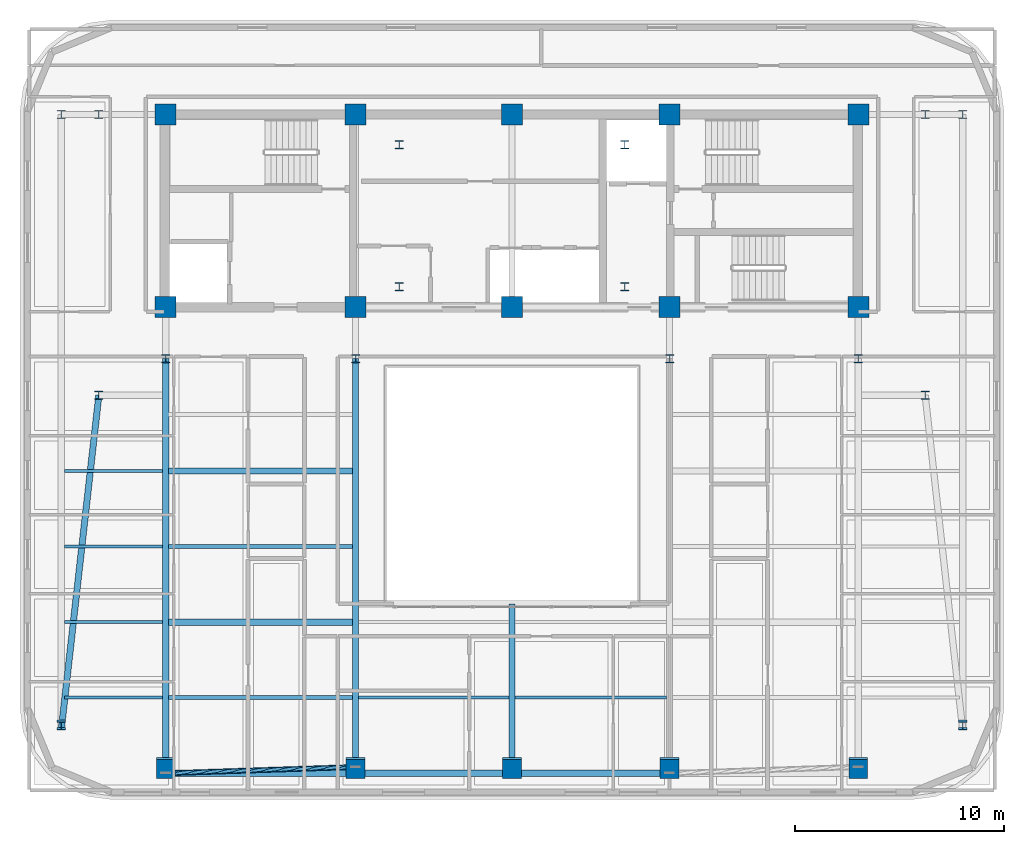
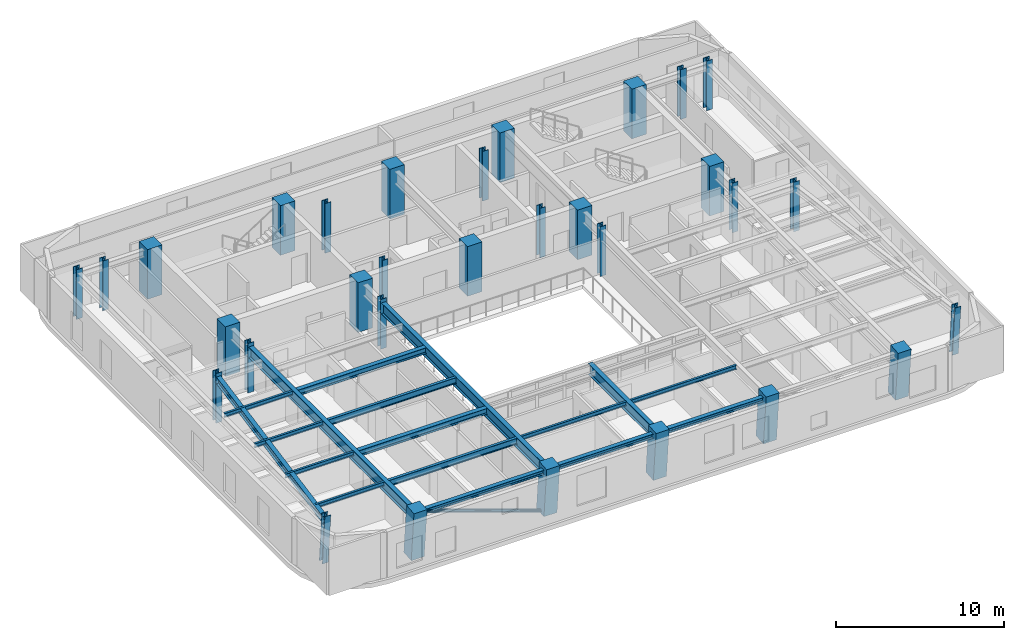
# One storey, part 1 of 14: 31 columns, 17 beams, 1 member.
"""IFC4 building model written with IfcOpenShell, lengths in metres."""

from ifc_helpers import new_model, si_unit, direction, frame, origin, origin_2d, place, context, subcontext, project, spatial, rectangle, hollow_circle, i_section, extrude, material, material_profile, profile_set, type_object, element, save


model = new_model("IFC4")

# Units and contexts
model_context = context("Model", 3, precision=1e-05, world=origin(), true_north=direction((0.0, 1.0)))
body_context = subcontext(model_context, "Body", "Model", "MODEL_VIEW")
ifc_project = project(units=[si_unit("LENGTHUNIT", "METRE"), si_unit("AREAUNIT", "SQUARE_METRE"), si_unit("VOLUMEUNIT", "CUBIC_METRE"), si_unit("PLANEANGLEUNIT", "RADIAN"), si_unit("MASSUNIT", "GRAM", prefix="KILO")], contexts=[model_context])

# Site, building, storey
site_placement = place(None, origin())
site = spatial("IfcSite", under=ifc_project, at=site_placement, CompositionType="ELEMENT")
building_placement = place(site_placement, origin())
building = spatial("IfcBuilding", under=site, at=building_placement, Name="Zarnavel Station Tower", CompositionType="ELEMENT")
storey_placement = place(building_placement, frame((0.0, 0.0, 225.60009765625)))
storey = spatial("IfcBuildingStorey", under=building, at=storey_placement, Name="L61", CompositionType="ELEMENT", Elevation=225.60009765625)

# Columns
ifc_material_1 = material(Name="Steel S355J2", Category="steel")
ifc_material_profile_1 = material_profile(ifc_material_1, i_section(OverallWidth=0.407958984375, OverallDepth=0.39990234375, WebThickness=0.02490234375, FlangeThickness=0.0390625, FilletRadius=0.014892578125, at=origin_2d()), Name="HD400x287")
ifc_profile_set_1 = profile_set([ifc_material_profile_1], Name="Steel S355J2")
column_type_1 = type_object("IfcColumnType", Name="EC_HD287", PredefinedType="COLUMN", material=ifc_profile_set_1)
column_1_placement = place(storey_placement, frame((7.199951171875, 7.8427734375, 0.0), z_axis=(0.0, -0.079906436036, 0.996802368316), x_axis=(1.0, 0.0, 0.0)))
element("IfcColumn", 1, at=column_1_placement, inside=storey, type_object=column_type_1, Name="L61 Raked Wing Column 1", PredefinedType="COLUMN", context=body_context, shape_type="SweptSolid", body=[
    extrude(i_section(OverallWidth=0.407958984375, OverallDepth=0.39990234375, WebThickness=0.02490234375, FlangeThickness=0.0390625, FilletRadius=0.014892578125, at=origin_2d()), origin(), (0.0, 0.0, 1.0), 3.611328125),
])
column_2_placement = place(storey_placement, frame((7.199951171875, 37.050048828125, 0.0), z_axis=(0.0, 0.0, 1.0), x_axis=(1.0, 0.0, 0.0)))
element("IfcColumn", 2, at=column_2_placement, inside=storey, type_object=column_type_1, Name="L61 Outer Wing North Column 1", PredefinedType="COLUMN", context=body_context, shape_type="SweptSolid", body=[
    extrude(i_section(OverallWidth=0.407958984375, OverallDepth=0.39990234375, WebThickness=0.02490234375, FlangeThickness=0.0390625, FilletRadius=0.014892578125, at=origin_2d()), origin(), (0.0, 0.0, 1.0), 3.599853515625),
])
column_3_placement = place(storey_placement, frame((50.39990234375, 7.8427734375, 0.0), z_axis=(0.0, -0.079906436036, 0.996802368316), x_axis=(1.0, 0.0, 0.0)))
element("IfcColumn", 3, at=column_3_placement, inside=storey, type_object=column_type_1, Name="L61 Raked Wing Column 2", PredefinedType="COLUMN", context=body_context, shape_type="SweptSolid", body=[
    extrude(i_section(OverallWidth=0.407958984375, OverallDepth=0.39990234375, WebThickness=0.02490234375, FlangeThickness=0.0390625, FilletRadius=0.014892578125, at=origin_2d()), origin(), (0.0, 0.0, 1.0), 3.611328125),
])
column_4_placement = place(storey_placement, frame((50.39990234375, 37.050048828125, 0.0), z_axis=(0.0, 0.0, 1.0), x_axis=(1.0, 0.0, 0.0)))
element("IfcColumn", 4, at=column_4_placement, inside=storey, type_object=column_type_1, Name="L61 Outer Wing North Column 2", PredefinedType="COLUMN", context=body_context, shape_type="SweptSolid", body=[
    extrude(i_section(OverallWidth=0.407958984375, OverallDepth=0.39990234375, WebThickness=0.02490234375, FlangeThickness=0.0390625, FilletRadius=0.014892578125, at=origin_2d()), origin(), (0.0, 0.0, 1.0), 3.599853515625),
])
ifc_material_2 = material(Name="Steel S355J2", Category="steel")
ifc_material_profile_2 = material_profile(ifc_material_2, i_section(OverallWidth=0.407958984375, OverallDepth=0.39990234375, WebThickness=0.02490234375, FlangeThickness=0.0390625, FilletRadius=0.014892578125, at=origin_2d()), Name="HD400x287")
ifc_profile_set_2 = profile_set([ifc_material_profile_2], Name="Steel S355J2")
column_type_2 = type_object("IfcColumnType", Name="IC_HD287", PredefinedType="COLUMN", material=ifc_profile_set_2)
for number, where, z_axis, x_axis, name in (
    (5, (23.39990234375, 28.800048828125, 0.0), (0.0, 0.0, 1.0), (1.0, 0.0, 0.0), "L61 Mast Spine Column 1"),
    (6, (34.199951171875, 28.800048828125, 0.0), (0.0, 0.0, 1.0), (1.0, 0.0, 0.0), "L61 Mast Spine Column 2"),
    (7, (34.199951171875, 35.60009765625, 0.0), (0.0, 0.0, 1.0), (1.0, 0.0, 0.0), "L61 Mast Spine Column 3"),
    (8, (23.39990234375, 35.60009765625, 0.0), (0.0, 0.0, 1.0), (1.0, 0.0, 0.0), "L61 Mast Spine Column 4"),
    (9, (12.199951171875, 25.35009765625, 0.0), (0.0, 0.0, 1.0), (1.0, 0.0, 0.0), "L61 Inner Spine Column 1"),
    (10, (21.300048828125, 25.35009765625, 0.0), (0.0, 0.0, 1.0), (1.0, 0.0, 0.0), "L61 Inner Spine Column 2"),
    (11, (36.35009765625, 25.35009765625, 0.0), (0.0, 0.0, 1.0), (1.0, 0.0, 0.0), "L61 Inner Spine Column 4"),
    (12, (45.39990234375, 25.35009765625, 0.0), (0.0, 0.0, 1.0), (1.0, 0.0, 0.0), "L61 Inner Spine Column 5"),
    (13, (9.0, 23.60009765625, 0.0), (0.0, 0.0, 1.0), (1.0, 0.0, 0.0), "L61 Inner Wing Spine Column 1-1"),
    (14, (9.0, 37.050048828125, 0.0), (0.0, 0.0, 1.0), (1.0, 0.0, 0.0), "L61 Inner Wing Spine Column 1-2"),
    (15, (48.60009765625, 23.60009765625, 0.0), (0.0, 0.0, 1.0), (1.0, 0.0, 0.0), "L61 Inner Wing Spine Column 2-1"),
    (16, (48.60009765625, 37.050048828125, 0.0), (0.0, 0.0, 1.0), (1.0, 0.0, 0.0), "L61 Inner Wing Spine Column 2-2"),
):
    element("IfcColumn", number, at=place(storey_placement, frame(where, z_axis=z_axis, x_axis=x_axis)), inside=storey, type_object=column_type_2, Name=name, PredefinedType="COLUMN", context=body_context, shape_type="SweptSolid", body=[
        extrude(i_section(OverallWidth=0.407958984375, OverallDepth=0.39990234375, WebThickness=0.02490234375, FlangeThickness=0.0390625, FilletRadius=0.014892578125, at=origin_2d()), origin(), (0.0, 0.0, 1.0), 3.599853515625),
    ])
ifc_material_3 = material(Name="Concrete C50/60", Category="concrete")
ifc_material_profile_3 = material_profile(ifc_material_3, rectangle(XDim=1.0, YDim=1.0, at=origin_2d()), Name="RC1000x1000")
ifc_profile_set_3 = profile_set([ifc_material_profile_3], Name="Concrete C50/60")
column_type_3 = type_object("IfcColumnType", Name="IC_RC1000", PredefinedType="COLUMN", material=ifc_profile_set_3)
for number, where, z_axis, x_axis, name in (
    (17, (12.199951171875, 27.820068359375, 0.0), (0.0, 0.0, 1.0), (1.0, 0.0, 0.0), "L61 Core Spine Column 1-1"),
    (18, (12.199951171875, 37.050048828125, 0.0), (0.0, 0.0, 1.0), (1.0, 0.0, 0.0), "L61 Core Spine Column 1-2"),
    (19, (21.300048828125, 27.820068359375, 0.0), (0.0, 0.0, 1.0), (1.0, 0.0, 0.0), "L61 Core Spine Column 2-1"),
    (20, (21.300048828125, 37.050048828125, 0.0), (0.0, 0.0, 1.0), (1.0, 0.0, 0.0), "L61 Core Spine Column 2-2"),
    (21, (28.800048828125, 27.820068359375, 0.0), (0.0, 0.0, 1.0), (1.0, 0.0, 0.0), "L61 Core Spine Column 3-1"),
    (22, (28.800048828125, 37.050048828125, 0.0), (0.0, 0.0, 1.0), (1.0, 0.0, 0.0), "L61 Core Spine Column 3-2"),
    (23, (36.35009765625, 27.820068359375, 0.0), (0.0, 0.0, 1.0), (1.0, 0.0, 0.0), "L61 Core Spine Column 4-1"),
    (24, (36.35009765625, 37.050048828125, 0.0), (0.0, 0.0, 1.0), (1.0, 0.0, 0.0), "L61 Core Spine Column 4-2"),
    (25, (45.39990234375, 27.820068359375, 0.0), (0.0, 0.0, 1.0), (1.0, 0.0, 0.0), "L61 Core Spine Column 5-1"),
    (26, (45.39990234375, 37.050048828125, 0.0), (0.0, 0.0, 1.0), (1.0, 0.0, 0.0), "L61 Core Spine Column 5-2"),
):
    element("IfcColumn", number, at=place(storey_placement, frame(where, z_axis=z_axis, x_axis=x_axis)), inside=storey, type_object=column_type_3, Name=name, PredefinedType="COLUMN", context=body_context, shape_type="SweptSolid", body=[
        extrude(rectangle(XDim=1.0, YDim=1.0, at=origin_2d()), origin(), (0.0, 0.0, 1.0), 3.599853515625),
    ])
ifc_material_4 = material(Name="Concrete C50/60", Category="concrete")
ifc_material_profile_4 = material_profile(ifc_material_4, rectangle(XDim=0.89990234375, YDim=0.89990234375, at=origin_2d()), Name="RC900x900")
ifc_profile_set_4 = profile_set([ifc_material_profile_4], Name="Concrete C50/60")
column_type_4 = type_object("IfcColumnType", Name="MC_RC900", PredefinedType="COLUMN", material=ifc_profile_set_4)
for number, where, z_axis, x_axis, name in (
    (27, (12.199951171875, 5.7841796875, 0.0), (0.0, -0.090237335163, 0.995920289653), (1.0, 0.0, 0.0), "L61 Raked South Mega-Column 1"),
    (28, (21.300048828125, 5.7841796875, 0.0), (0.0, -0.090237335163, 0.995920289653), (1.0, 0.0, 0.0), "L61 Raked South Mega-Column 2"),
    (29, (28.800048828125, 5.7841796875, 0.0), (0.0, -0.090237335163, 0.995920289653), (1.0, 0.0, 0.0), "L61 Raked South Mega-Column 3"),
    (30, (36.35009765625, 5.7841796875, 0.0), (0.0, -0.090237335163, 0.995920289653), (1.0, 0.0, 0.0), "L61 Raked South Mega-Column 4"),
    (31, (45.39990234375, 5.7841796875, 0.0), (0.0, -0.090237335163, 0.995920289653), (1.0, 0.0, 0.0), "L61 Raked South Mega-Column 5"),
):
    element("IfcColumn", number, at=place(storey_placement, frame(where, z_axis=z_axis, x_axis=x_axis)), inside=storey, type_object=column_type_4, Name=name, PredefinedType="COLUMN", context=body_context, shape_type="SweptSolid", body=[
        extrude(rectangle(XDim=0.89990234375, YDim=0.89990234375, at=origin_2d()), origin(), (0.0, 0.0, 1.0), 3.614501953125),
    ])

# Member
ifc_material_5 = material(Name="Steel S355J2", Category="steel")
ifc_material_profile_5 = material_profile(ifc_material_5, hollow_circle(Radius=0.122314453125, WallThickness=0.010009765625, at=origin_2d()), Name="CHS244.5x10")
ifc_profile_set_5 = profile_set([ifc_material_profile_5], Name="Steel S355J2")
member_type = type_object("IfcMemberType", Name="DB_EXT_CHS245", PredefinedType="BRACE", material=ifc_profile_set_5)
member_placement = place(storey_placement, frame((21.300048828125, 5.7841796875, 0.0), z_axis=(-0.938314062499, -0.03121504098, 0.344372387589), x_axis=(0.033248763554, -0.999447107016, 0.0)))
element("IfcMember", 32, at=member_placement, inside=storey, type_object=member_type, Name="L61 Persian Exterior Diagonal Frame Brace 1", PredefinedType="BRACE", context=body_context, shape_type="SweptSolid", body=[
    extrude(hollow_circle(Radius=0.122314453125, WallThickness=0.010009765625, at=origin_2d()), origin(), (0.0, 0.0, 1.0), 9.6982421875),
])

# Beams
ifc_material_6 = material(Name="Steel S355J2", Category="steel")
ifc_material_profile_6 = material_profile(ifc_material_6, i_section(OverallWidth=0.300048828125, OverallDepth=0.320068359375, WebThickness=0.011474609375, FlangeThickness=0.0205078125, FilletRadius=0.027099609375, at=origin_2d()), Name="HEB320")
ifc_profile_set_6 = profile_set([ifc_material_profile_6], Name="Steel S355J2")
beam_type_1 = type_object("IfcBeamType", Name="EB_HEB320", PredefinedType="SPANDREL", material=ifc_profile_set_6)
beam_1_placement = place(storey_placement, frame((12.199951171875, 5.4814453125, 3.179931640625), z_axis=(1.0, 0.0, 0.0), x_axis=(0.0, 1.0, 0.0)))
element("IfcBeam", 33, at=beam_1_placement, inside=storey, type_object=beam_type_1, Name="L61 South Raked Spandrel 1", PredefinedType="SPANDREL", context=body_context, shape_type="SweptSolid", body=[
    extrude(i_section(OverallWidth=0.300048828125, OverallDepth=0.320068359375, WebThickness=0.011474609375, FlangeThickness=0.0205078125, FilletRadius=0.027099609375, at=origin_2d()), origin(), (0.0, 0.0, 1.0), 9.10009765625),
])
beam_2_placement = place(storey_placement, frame((21.300048828125, 5.4814453125, 3.179931640625), z_axis=(1.0, 0.0, 0.0), x_axis=(0.0, 1.0, 0.0)))
element("IfcBeam", 34, at=beam_2_placement, inside=storey, type_object=beam_type_1, Name="L61 South Raked Spandrel 2", PredefinedType="SPANDREL", context=body_context, shape_type="SweptSolid", body=[
    extrude(i_section(OverallWidth=0.300048828125, OverallDepth=0.320068359375, WebThickness=0.011474609375, FlangeThickness=0.0205078125, FilletRadius=0.027099609375, at=origin_2d()), origin(), (0.0, 0.0, 1.0), 7.5),
])
beam_3_placement = place(storey_placement, frame((28.800048828125, 5.4814453125, 3.179931640625), z_axis=(1.0, 0.0, 0.0), x_axis=(0.0, 1.0, 0.0)))
element("IfcBeam", 35, at=beam_3_placement, inside=storey, type_object=beam_type_1, Name="L61 South Raked Spandrel 3", PredefinedType="SPANDREL", context=body_context, shape_type="SweptSolid", body=[
    extrude(i_section(OverallWidth=0.300048828125, OverallDepth=0.320068359375, WebThickness=0.011474609375, FlangeThickness=0.0205078125, FilletRadius=0.027099609375, at=origin_2d()), origin(), (0.0, 0.0, 1.0), 7.550048828125),
])
ifc_material_7 = material(Name="Steel S355J2", Category="steel")
ifc_material_profile_7 = material_profile(ifc_material_7, i_section(OverallWidth=0.300048828125, OverallDepth=0.43994140625, WebThickness=0.011474609375, FlangeThickness=0.02099609375, FilletRadius=0.027099609375, at=origin_2d()), Name="HEA450")
ifc_profile_set_7 = profile_set([ifc_material_profile_7], Name="Steel S355J2")
beam_type_2 = type_object("IfcBeamType", Name="FB_HEA450", PredefinedType="BEAM", material=ifc_profile_set_7)
for number, where, z_axis, x_axis, name in (
    (36, (12.344970703125, 12.720947265625, 3.119873046875), (1.0, 0.0, 0.0), (0.0, 1.0, 0.0), "L61 West Bay Beam 2"),
    (37, (12.344970703125, 19.96044921875, 3.119873046875), (1.0, 0.0, 0.0), (0.0, 1.0, 0.0), "L61 West Bay Beam 4"),
):
    element("IfcBeam", number, at=place(storey_placement, frame(where, z_axis=z_axis, x_axis=x_axis)), inside=storey, type_object=beam_type_2, Name=name, PredefinedType="BEAM", context=body_context, shape_type="SweptSolid", body=[
        extrude(i_section(OverallWidth=0.300048828125, OverallDepth=0.43994140625, WebThickness=0.011474609375, FlangeThickness=0.02099609375, FilletRadius=0.027099609375, at=origin_2d()), origin(), (0.0, 0.0, 1.0), 8.81005859375),
    ])
ifc_material_8 = material(Name="Steel S355J2", Category="steel")
ifc_material_profile_8 = material_profile(ifc_material_8, i_section(OverallWidth=0.18994140625, OverallDepth=0.449951171875, WebThickness=0.009521484375, FlangeThickness=0.0146484375, FilletRadius=0.02099609375, at=origin_2d()), Name="IPE450")
ifc_profile_set_8 = profile_set([ifc_material_profile_8], Name="Steel S355J2")
beam_type_3 = type_object("IfcBeamType", Name="FB_IPE450", PredefinedType="BEAM", material=ifc_profile_set_8)
for number, where, z_axis, x_axis, name in (
    (38, (12.344970703125, 9.101318359375, 3.114990234375), (1.0, 0.0, 0.0), (0.0, 1.0, 0.0), "L61 West Bay Beam 1"),
    (39, (12.344970703125, 16.3408203125, 3.114990234375), (1.0, 0.0, 0.0), (0.0, 1.0, 0.0), "L61 West Bay Beam 3"),
):
    element("IfcBeam", number, at=place(storey_placement, frame(where, z_axis=z_axis, x_axis=x_axis)), inside=storey, type_object=beam_type_3, Name=name, PredefinedType="BEAM", context=body_context, shape_type="SweptSolid", body=[
        extrude(i_section(OverallWidth=0.18994140625, OverallDepth=0.449951171875, WebThickness=0.009521484375, FlangeThickness=0.0146484375, FilletRadius=0.02099609375, at=origin_2d()), origin(), (0.0, 0.0, 1.0), 8.81005859375),
    ])
ifc_material_9 = material(Name="Steel S355J2", Category="steel")
ifc_material_profile_9 = material_profile(ifc_material_9, i_section(OverallWidth=0.300048828125, OverallDepth=0.5, WebThickness=0.014404296875, FlangeThickness=0.028076171875, FilletRadius=0.027099609375, at=origin_2d()), Name="HEB500")
ifc_profile_set_9 = profile_set([ifc_material_profile_9], Name="Steel S355J2")
beam_type_4 = type_object("IfcBeamType", Name="FG_HEB500", PredefinedType="USERDEFINED", material=ifc_profile_set_9)
beam_4_placement = place(storey_placement, frame((7.199951171875, 7.574951171875, 3.08984375), z_axis=(0.111624523542, 0.993750454462, 0.0), x_axis=(-0.993750454462, 0.111624523542, 0.0)))
element("IfcBeam", 40, at=beam_4_placement, inside=storey, type_object=beam_type_4, Name="L61 West Wing South Tie 1", ObjectType="GIRDER", PredefinedType="USERDEFINED", context=body_context, shape_type="SweptSolid", body=[
    extrude(i_section(OverallWidth=0.300048828125, OverallDepth=0.5, WebThickness=0.014404296875, FlangeThickness=0.028076171875, FilletRadius=0.027099609375, at=origin_2d()), origin(), (0.0, 0.0, 1.0), 16.1259765625),
])
ifc_material_10 = material(Name="Steel S355J2", Category="steel")
ifc_material_profile_10 = material_profile(ifc_material_10, i_section(OverallWidth=0.300048828125, OverallDepth=0.800048828125, WebThickness=0.017578125, FlangeThickness=0.032958984375, FilletRadius=0.030029296875, at=origin_2d()), Name="HEB800")
ifc_profile_set_10 = profile_set([ifc_material_profile_10], Name="Steel S355J2")
beam_type_5 = type_object("IfcBeamType", Name="FG_HEB800", PredefinedType="USERDEFINED", material=ifc_profile_set_10)
for number, where, z_axis, x_axis, name in (
    (41, (12.199951171875, 5.4814453125, 2.93994140625), (0.0, 1.0, 0.0), (-1.0, 0.0, 0.0), "L61 South-Zone NS Girder 1"),
    (42, (21.300048828125, 5.4814453125, 2.93994140625), (0.0, 1.0, 0.0), (-1.0, 0.0, 0.0), "L61 South-Zone NS Girder 2"),
):
    element("IfcBeam", number, at=place(storey_placement, frame(where, z_axis=z_axis, x_axis=x_axis)), inside=storey, type_object=beam_type_5, Name=name, ObjectType="GIRDER", PredefinedType="USERDEFINED", context=body_context, shape_type="SweptSolid", body=[
        extrude(i_section(OverallWidth=0.300048828125, OverallDepth=0.800048828125, WebThickness=0.017578125, FlangeThickness=0.032958984375, FilletRadius=0.030029296875, at=origin_2d()), origin(), (0.0, 0.0, 1.0), 19.86865234375),
    ])
beam_5_placement = place(storey_placement, frame((28.800048828125, 5.4814453125, 2.93994140625), z_axis=(0.0, 1.0, 0.0), x_axis=(-1.0, 0.0, 0.0)))
element("IfcBeam", 43, at=beam_5_placement, inside=storey, type_object=beam_type_5, Name="L61 Central Atrium-South Girder", ObjectType="GIRDER", PredefinedType="USERDEFINED", context=body_context, shape_type="SweptSolid", body=[
    extrude(i_section(OverallWidth=0.300048828125, OverallDepth=0.800048828125, WebThickness=0.017578125, FlangeThickness=0.032958984375, FilletRadius=0.030029296875, at=origin_2d()), origin(), (0.0, 0.0, 1.0), 8.11865234375),
])
ifc_material_11 = material(Name="Steel S355J2", Category="steel")
ifc_material_profile_11 = material_profile(ifc_material_11, i_section(OverallWidth=0.14990234375, OverallDepth=0.300048828125, WebThickness=0.007080078125, FlangeThickness=0.0107421875, FilletRadius=0.014892578125, at=origin_2d()), Name="IPE300")
ifc_profile_set_11 = profile_set([ifc_material_profile_11], Name="Steel S355J2")
beam_type_6 = type_object("IfcBeamType", Name="FJ_IPE300", PredefinedType="JOIST", material=ifc_profile_set_11)
beam_6_placement = place(storey_placement, frame((21.445068359375, 9.101318359375, 3.18994140625), z_axis=(1.0, 0.0, 0.0), x_axis=(0.0, 1.0, 0.0)))
element("IfcBeam", 44, at=beam_6_placement, inside=storey, type_object=beam_type_6, Name="L61 Mid-West Joist 1", PredefinedType="JOIST", context=body_context, shape_type="SweptSolid", body=[
    extrude(i_section(OverallWidth=0.14990234375, OverallDepth=0.300048828125, WebThickness=0.007080078125, FlangeThickness=0.0107421875, FilletRadius=0.014892578125, at=origin_2d()), origin(), (0.0, 0.0, 1.0), 7.2099609375),
])
beam_7_placement = place(storey_placement, frame((28.945068359375, 9.101318359375, 3.18994140625), z_axis=(1.0, 0.0, 0.0), x_axis=(0.0, 1.0, 0.0)))
element("IfcBeam", 45, at=beam_7_placement, inside=storey, type_object=beam_type_6, Name="L61 Mid-East Joist 1", PredefinedType="JOIST", context=body_context, shape_type="SweptSolid", body=[
    extrude(i_section(OverallWidth=0.14990234375, OverallDepth=0.300048828125, WebThickness=0.007080078125, FlangeThickness=0.0107421875, FilletRadius=0.014892578125, at=origin_2d()), origin(), (0.0, 0.0, 1.0), 7.260009765625),
])
for number, where, z_axis, x_axis, name in (
    (46, (7.344970703125, 9.101318359375, 3.18994140625), (1.0, 0.0, 0.0), (0.0, 1.0, 0.0), "L61 West Wing Joist 1"),
    (47, (7.344970703125, 12.720947265625, 3.18994140625), (1.0, 0.0, 0.0), (0.0, 1.0, 0.0), "L61 West Wing Joist 2"),
    (48, (7.344970703125, 16.3408203125, 3.18994140625), (1.0, 0.0, 0.0), (0.0, 1.0, 0.0), "L61 West Wing Joist 3"),
    (49, (7.344970703125, 19.96044921875, 3.18994140625), (1.0, 0.0, 0.0), (0.0, 1.0, 0.0), "L61 West Wing Joist 4"),
):
    element("IfcBeam", number, at=place(storey_placement, frame(where, z_axis=z_axis, x_axis=x_axis)), inside=storey, type_object=beam_type_6, Name=name, PredefinedType="JOIST", context=body_context, shape_type="SweptSolid", body=[
        extrude(i_section(OverallWidth=0.14990234375, OverallDepth=0.300048828125, WebThickness=0.007080078125, FlangeThickness=0.0107421875, FilletRadius=0.014892578125, at=origin_2d()), origin(), (0.0, 0.0, 1.0), 4.7099609375),
    ])

save(model, "model.ifc")
